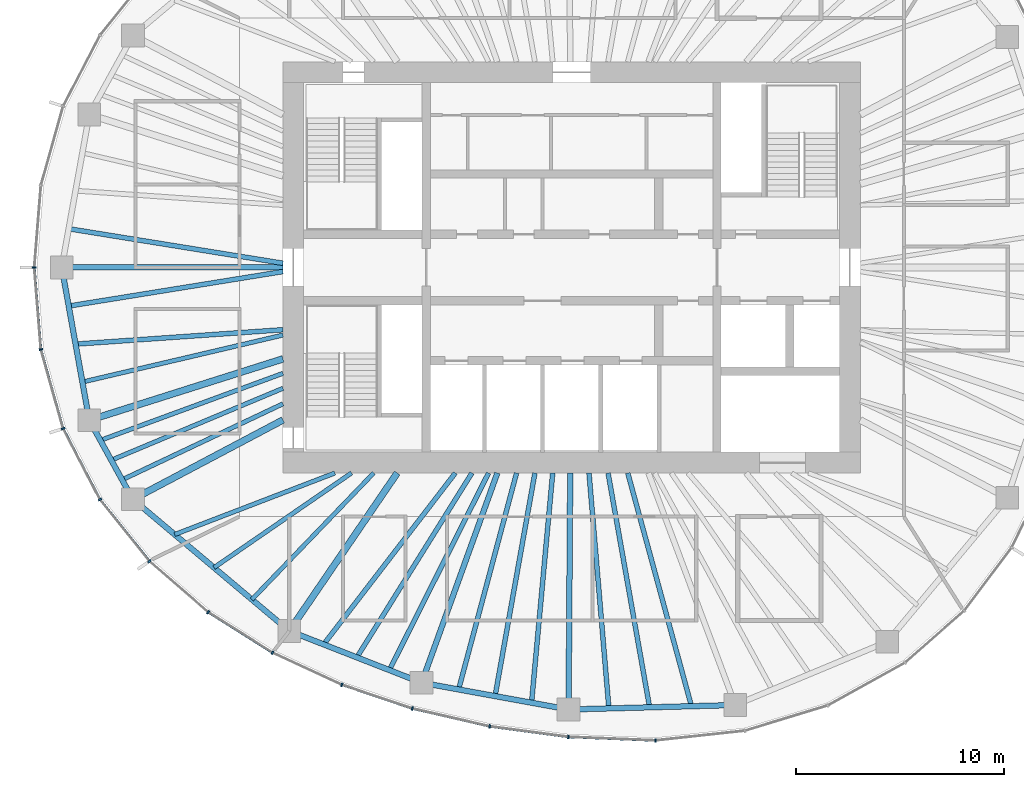
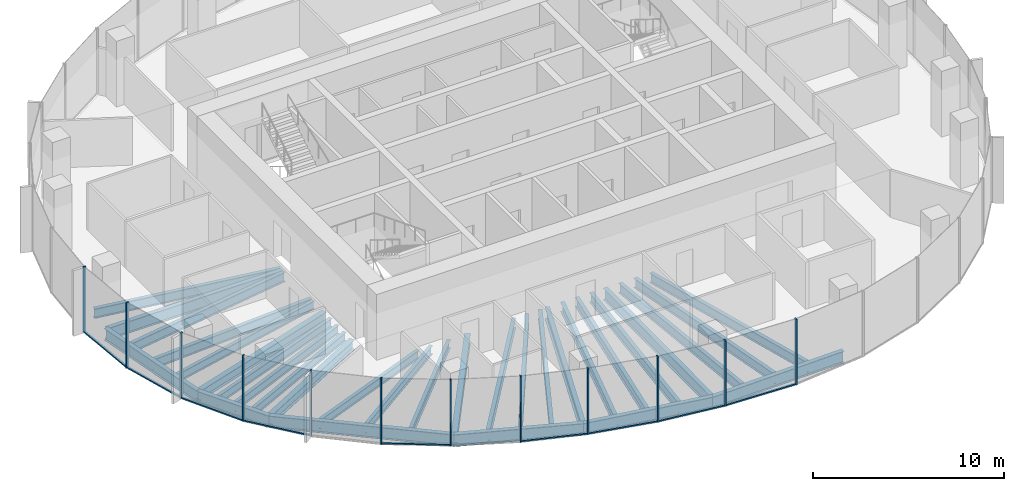
# One storey, part 2 of 12: 31 beams, 21 members, 6 elements without a shape of their own.
"""IFC4 building model written with IfcOpenShell, lengths in metres."""

import ifcopenshell
import ifcopenshell.guid

model = None  # the IFC model being written
_history = None  # IfcOwnerHistory: only IFC2X3 demands one
_inside = {}  # id of a spatial element -> (the spatial element, [elements in it])
_under = {}  # id of a project, library or spatial element -> (it, [spatial elements below it])
_declared = {}  # id of a project -> (the project, [libraries it declares])
_typed = {}  # id of a type object -> (the type object, [elements of that type])
_made_of = {}  # id of a material, layer set ... -> (it, [elements and type objects made of it])


def new_model(schema):
    """Start an empty IFC model of exactly this schema.

    Asked for "IFC4X3", IfcOpenShell would pick the latest addendum, in which some entities
    have other attributes; the version numbers below select the first issue.
    IFC2X3 requires an IfcOwnerHistory on every rooted entity: one is made here for all.
    """
    global model, _history
    if schema == "IFC4X3":
        model = ifcopenshell.file(schema_version=(4, 3, 0, 0))
    else:
        model = ifcopenshell.file(schema=schema)
    _inside.clear()
    _under.clear()
    _declared.clear()
    _typed.clear()
    _made_of.clear()
    _history = None
    if model.schema == "IFC2X3":
        org = make("IfcOrganization", Name="unknown")
        user = make(
            "IfcPersonAndOrganization",
            ThePerson=make("IfcPerson", FamilyName="unknown"),
            TheOrganization=org,
        )
        app = make(
            "IfcApplication",
            ApplicationDeveloper=org,
            Version="unknown",
            ApplicationFullName="unknown",
            ApplicationIdentifier="unknown",
        )
        _history = make(
            "IfcOwnerHistory",
            OwningUser=user,
            OwningApplication=app,
            ChangeAction="ADDED",
            CreationDate=0,
        )
    return model


def make(cls, **values):
    """One entity of the class cls with the attributes given. An attribute that is None is left unset."""
    return model.create_entity(
        cls, **{name: value for name, value in values.items() if value is not None}
    )


def rooted(cls, **values):
    """An entity with a GlobalId (a new one), such as an element, a storey or a relation."""
    return make(cls, GlobalId=ifcopenshell.guid.new(), OwnerHistory=_history, **values)


def si_unit(unit_type, name, prefix=None):
    """IfcSIUnit, for example si_unit("LENGTHUNIT", "METRE", prefix="MILLI")."""
    return make("IfcSIUnit", UnitType=unit_type, Prefix=prefix, Name=name)


def assignment(units):
    """IfcUnitAssignment: the units of a project."""
    return None if units is None else make("IfcUnitAssignment", Units=units)


def point(xyz):
    """IfcCartesianPoint."""
    return None if xyz is None else make("IfcCartesianPoint", Coordinates=xyz)


def direction(xyz):
    """IfcDirection."""
    return None if xyz is None else make("IfcDirection", DirectionRatios=xyz)


def frame(location, z_axis=None, x_axis=None):
    """IfcAxis2Placement3D, a coordinate frame: its origin and axes. An axis left out is left unset."""
    return make(
        "IfcAxis2Placement3D",
        Location=point(location),
        Axis=direction(z_axis),
        RefDirection=direction(x_axis),
    )


def frame_2d(location, x_axis=None):
    """IfcAxis2Placement2D, a coordinate frame in the plane: its origin and x axis."""
    return make(
        "IfcAxis2Placement2D", Location=point(location), RefDirection=direction(x_axis)
    )


def origin():
    """The frame at (0, 0, 0) with its axes left unset."""
    return frame((0.0, 0.0, 0.0))


def origin_2d():
    """The frame at (0, 0) in the plane with its x axis left unset."""
    return frame_2d((0.0, 0.0))


def place(relative_to, where):
    """IfcLocalPlacement: puts the frame where relative to a parent placement (None: the world)."""
    return make(
        "IfcLocalPlacement", PlacementRelTo=relative_to, RelativePlacement=where
    )


def context(
    kind, dimensions, precision=None, world=None, true_north=None, identifier=None
):
    """IfcGeometricRepresentationContext, for example the 3D "Model" context."""
    return make(
        "IfcGeometricRepresentationContext",
        ContextIdentifier=identifier,
        ContextType=kind,
        CoordinateSpaceDimension=dimensions,
        Precision=precision,
        WorldCoordinateSystem=world,
        TrueNorth=true_north,
    )


def subcontext(parent, identifier, kind, view, scale=None):
    """IfcGeometricRepresentationSubContext, for example "Body" below "Model"."""
    return make(
        "IfcGeometricRepresentationSubContext",
        ContextIdentifier=identifier,
        ContextType=kind,
        ParentContext=parent,
        TargetScale=scale,
        TargetView=view,
    )


def project(units=None, contexts=None):
    """IfcProject with its units and contexts."""
    return rooted(
        "IfcProject",
        Name="project",
        RepresentationContexts=contexts,
        UnitsInContext=assignment(units),
    )


def spatial(cls, under=None, at=None, **own):
    """A site, building, storey or space (cls), placed at a placement, below another one or the project."""
    s = rooted(cls, ObjectPlacement=at, **own)
    if under is not None:
        _under.setdefault(under.id(), (under, []))[1].append(s)
    return s


def profile(cls, at=None, kind="AREA", **sizes):
    """A parametric profile (cls). Its sizes go by their IFC names, for example OverallWidth=200.0."""
    return make(cls, ProfileType=kind, Position=at, **sizes)


def rectangle(**sizes):
    """IfcRectangleProfileDef."""
    return profile("IfcRectangleProfileDef", **sizes)


def i_section(**sizes):
    """IfcIShapeProfileDef."""
    return profile("IfcIShapeProfileDef", **sizes)


def extrude(swept, where, along, depth):
    """IfcExtrudedAreaSolid: the profile swept, set in the frame where, extruded along a direction by depth."""
    return make(
        "IfcExtrudedAreaSolid",
        SweptArea=swept,
        Position=where,
        ExtrudedDirection=direction(along),
        Depth=depth,
    )


def shape(context_of_items, identifier, shape_type, items):
    """IfcShapeRepresentation: the items that make up one representation, for example the "Body"."""
    return make(
        "IfcShapeRepresentation",
        ContextOfItems=context_of_items,
        RepresentationIdentifier=identifier,
        RepresentationType=shape_type,
        Items=items,
    )


def material(Name=None, Category=None):
    """IfcMaterial."""
    return make("IfcMaterial", Name=Name, Category=Category)


def material_profile(
    of_material, cross_section, Name=None, Category=None, Priority=None
):
    """IfcMaterialProfile: a cross section and its material."""
    return make(
        "IfcMaterialProfile",
        Name=Name,
        Material=of_material,
        Profile=cross_section,
        Priority=Priority,
        Category=Category,
    )


def profile_set(profiles, Name=None, composite=None):
    """IfcMaterialProfileSet."""
    return make(
        "IfcMaterialProfileSet",
        Name=Name,
        MaterialProfiles=profiles,
        CompositeProfile=composite,
    )


def made_of(thing, what):
    """Note that an element or type object is made of a material, layer set ...; save() writes the relation."""
    if what is not None:
        _made_of.setdefault(what.id(), (what, []))[1].append(thing)
    return thing


def type_object(cls, material=None, **own):
    """A type object (cls), such as IfcWallType, which elements share."""
    return made_of(rooted(cls, **own), material)


def element(
    cls,
    number,
    at=None,
    inside=None,
    cuts=None,
    type_object=None,
    material=None,
    context=None,
    identifier="Body",
    shape_type=None,
    held_by="IfcProductDefinitionShape",
    body=None,
    shapes=None,
    **own,
):
    """One element of the class cls, such as IfcWall. Its Tag is "e" and its number.

    at: its placement. inside: the storey or other place that contains it. cuts: it is an
    opening in that element (IfcRelVoidsElement). A single representation is given by context,
    identifier, shape_type and body (its items); several are given by shapes. held_by: the class
    of the entity that holds the representations. save() writes the other relations.
    """
    e = rooted(cls, Tag="e%d" % number, ObjectPlacement=at, **own)
    if body is not None:
        shapes = [shape(context, identifier, shape_type, body)]
    if shapes is not None:
        e.Representation = make(held_by, Representations=shapes)
    if inside is not None:
        _inside.setdefault(inside.id(), (inside, []))[1].append(e)
    if cuts is not None:
        rooted(
            "IfcRelVoidsElement", RelatingBuildingElement=cuts, RelatedOpeningElement=e
        )
    if type_object is not None:
        _typed.setdefault(type_object.id(), (type_object, []))[1].append(e)
    return made_of(e, material)


def aggregate(whole, parts):
    """IfcRelAggregates: a whole, such as a stair, and the parts it consists of."""
    return rooted("IfcRelAggregates", RelatingObject=whole, RelatedObjects=parts)


def save(model, path):
    """Write the relations noted so far, then the file.

    IfcRelAggregates (storeys below a building ...), IfcRelContainedInSpatialStructure (elements
    in a storey), IfcRelDefinesByType, IfcRelAssociatesMaterial and IfcRelDeclares: one each for
    every whole, place, type object, material and project.
    """
    for whole, parts in _under.values():
        aggregate(whole, parts)
    for where, things in _inside.values():
        rooted(
            "IfcRelContainedInSpatialStructure",
            RelatedElements=things,
            RelatingStructure=where,
        )
    for kind, things in _typed.values():
        rooted("IfcRelDefinesByType", RelatedObjects=things, RelatingType=kind)
    for what, things in _made_of.values():
        rooted("IfcRelAssociatesMaterial", RelatedObjects=things, RelatingMaterial=what)
    for by, libraries in _declared.values():
        rooted("IfcRelDeclares", RelatingContext=by, RelatedDefinitions=libraries)
    model.write(path)


model = new_model("IFC4")

# Units and contexts
model_context = context("Model", 3, precision=1e-05, world=origin(), true_north=direction((0.0, 1.0)))
body_context = subcontext(model_context, "Body", "Model", "MODEL_VIEW")
ifc_project = project(units=[si_unit("LENGTHUNIT", "METRE"), si_unit("AREAUNIT", "SQUARE_METRE"), si_unit("VOLUMEUNIT", "CUBIC_METRE"), si_unit("PLANEANGLEUNIT", "RADIAN"), si_unit("MASSUNIT", "GRAM", prefix="KILO")], contexts=[model_context])

# Site, building, storey
site_placement = place(None, origin())
site = spatial("IfcSite", under=ifc_project, at=site_placement, CompositionType="ELEMENT")
building_placement = place(site_placement, origin())
building = spatial("IfcBuilding", under=site, at=building_placement, Name="Ghaith Harvest Tower", CompositionType="ELEMENT")
storey_placement = place(building_placement, frame((0.0, 0.0, 296.39990234375)))
storey = spatial("IfcBuildingStorey", under=building, at=storey_placement, Name="L66", CompositionType="ELEMENT", Elevation=296.39990234375)

# Curtain wall, members
ifc_material_1 = material(Name="Black anodised aluminium and fritted glass", Category="aluminium")
curtain_wall_type = type_object("IfcCurtainWallType", Name="CW-T CURTAIN WALL", PredefinedType="NOTDEFINED", material=ifc_material_1)
curtain_wall_1_placement = place(storey_placement, origin())
curtain_wall_1 = element("IfcCurtainWall", 1, at=curtain_wall_1_placement, inside=storey, type_object=curtain_wall_type, Name="Curtain wall CW-T bay 11 L66", PredefinedType="NOTDEFINED")
ifc_material_2 = material(Name="Aluminium, black anodised", Category="aluminium")
ifc_material_profile_1 = material_profile(ifc_material_2, rectangle(XDim=0.080078125, YDim=0.179931640625, at=origin_2d()), Name="CW-T MULLION 80x180")
ifc_profile_set_1 = profile_set([ifc_material_profile_1], Name="Aluminium, black anodised")
member_type_1 = type_object("IfcMemberType", Name="CW-T MULLION 80x180", PredefinedType="MULLION", material=ifc_profile_set_1)
member_1_placement = place(storey_placement, frame((-25.8701171875, 0.0, 0.0), z_axis=(0.0, 0.0, 1.0), x_axis=(-1.05e-10, -1.0, 0.0)))
member_1 = element("IfcMember", 2, at=member_1_placement, type_object=member_type_1, Name="CW-T mullion 1 bay 11 L66", PredefinedType="MULLION", context=body_context, shape_type="SweptSolid", body=[
    extrude(rectangle(XDim=0.080078125, YDim=0.179931640625, at=origin_2d()), origin(), (0.0, 0.0, 1.0), 4.2001953125),
])
member_2_placement = place(storey_placement, frame((-25.5517578125, -3.9521484375, 0.0), z_axis=(0.0, 0.0, 1.0), x_axis=(0.176001391003, -0.98438991785, 0.0)))
member_2 = element("IfcMember", 3, at=member_2_placement, type_object=member_type_1, Name="CW-T mullion 2 bay 11 L66", PredefinedType="MULLION", context=body_context, shape_type="SweptSolid", body=[
    extrude(rectangle(XDim=0.080078125, YDim=0.179931640625, at=origin_2d()), origin(), (0.0, 0.0, 1.0), 4.2001953125),
])

curtain_wall_2_placement = place(storey_placement, origin())
curtain_wall_2 = element("IfcCurtainWall", 4, at=curtain_wall_2_placement, inside=storey, type_object=curtain_wall_type, Name="Curtain wall CW-T bay 12 L66", PredefinedType="NOTDEFINED")
member_3_placement = place(storey_placement, frame((-24.482666015625, -7.759033203125, 0.0), z_axis=(0.0, 0.0, 1.0), x_axis=(0.366473104734, -0.930428645038, 0.0)))
member_3 = element("IfcMember", 5, at=member_3_placement, type_object=member_type_1, Name="CW-T mullion 1 bay 12 L66", PredefinedType="MULLION", context=body_context, shape_type="SweptSolid", body=[
    extrude(rectangle(XDim=0.080078125, YDim=0.179931640625, at=origin_2d()), origin(), (0.0, 0.0, 1.0), 4.2001953125),
])
member_4_placement = place(storey_placement, frame((-22.706298828125, -11.176513671875, 0.0), z_axis=(0.0, 0.0, 1.0), x_axis=(0.545865412431, -0.837872873121, 0.0)))
member_4 = element("IfcMember", 6, at=member_4_placement, type_object=member_type_1, Name="CW-T mullion 2 bay 12 L66", PredefinedType="MULLION", context=body_context, shape_type="SweptSolid", body=[
    extrude(rectangle(XDim=0.080078125, YDim=0.179931640625, at=origin_2d()), origin(), (0.0, 0.0, 1.0), 4.2001953125),
])

curtain_wall_3_placement = place(storey_placement, origin())
curtain_wall_3 = element("IfcCurtainWall", 7, at=curtain_wall_3_placement, inside=storey, type_object=curtain_wall_type, Name="Curtain wall CW-T bay 13 L66", PredefinedType="NOTDEFINED")
member_5_placement = place(storey_placement, frame((-20.324462890625, -14.141845703125, 0.0), z_axis=(0.0, 0.0, 1.0), x_axis=(0.692826491831, -0.721104328248, 0.0)))
member_5 = element("IfcMember", 8, at=member_5_placement, type_object=member_type_1, Name="CW-T mullion 1 bay 13 L66", PredefinedType="MULLION", context=body_context, shape_type="SweptSolid", body=[
    extrude(rectangle(XDim=0.080078125, YDim=0.179931640625, at=origin_2d()), origin(), (0.0, 0.0, 1.0), 4.2001953125),
])
member_6_placement = place(storey_placement, frame((-17.49462890625, -16.600830078125, 0.0), z_axis=(0.0, 0.0, 1.0), x_axis=(0.802189888845, -0.59706899286, 0.0)))
member_6 = element("IfcMember", 9, at=member_6_placement, type_object=member_type_1, Name="CW-T mullion 2 bay 13 L66", PredefinedType="MULLION", context=body_context, shape_type="SweptSolid", body=[
    extrude(rectangle(XDim=0.080078125, YDim=0.179931640625, at=origin_2d()), origin(), (0.0, 0.0, 1.0), 4.2001953125),
])

curtain_wall_4_placement = place(storey_placement, origin())
curtain_wall_4 = element("IfcCurtainWall", 10, at=curtain_wall_4_placement, inside=storey, type_object=curtain_wall_type, Name="Curtain wall CW-T bay 14 L66", PredefinedType="NOTDEFINED")
member_7_placement = place(storey_placement, frame((-14.40478515625, -18.5478515625, 0.0), z_axis=(0.0, 0.0, 1.0), x_axis=(0.878671732732, -0.477426419564, 0.0)))
member_7 = element("IfcMember", 11, at=member_7_placement, type_object=member_type_1, Name="CW-T mullion 1 bay 14 L66", PredefinedType="MULLION", context=body_context, shape_type="SweptSolid", body=[
    extrude(rectangle(XDim=0.080078125, YDim=0.179931640625, at=origin_2d()), origin(), (0.0, 0.0, 1.0), 4.2001953125),
])
member_8_placement = place(storey_placement, frame((-11.0673828125, -20.093017578125, 0.0), z_axis=(0.0, 0.0, 1.0), x_axis=(0.92862442092, -0.371021138038, 0.0)))
member_8 = element("IfcMember", 12, at=member_8_placement, type_object=member_type_1, Name="CW-T mullion 2 bay 14 L66", PredefinedType="MULLION", context=body_context, shape_type="SweptSolid", body=[
    extrude(rectangle(XDim=0.080078125, YDim=0.179931640625, at=origin_2d()), origin(), (0.0, 0.0, 1.0), 4.2001953125),
])

curtain_wall_5_placement = place(storey_placement, origin())
curtain_wall_5 = element("IfcCurtainWall", 13, at=curtain_wall_5_placement, inside=storey, type_object=curtain_wall_type, Name="Curtain wall CW-T bay 15 L66", PredefinedType="NOTDEFINED")
member_9_placement = place(storey_placement, frame((-7.6708984375, -21.23828125, 0.0), z_axis=(0.0, 0.0, 1.0), x_axis=(0.962552491659, -0.271095372151, 0.0)))
member_9 = element("IfcMember", 14, at=member_9_placement, type_object=member_type_1, Name="CW-T mullion 1 bay 15 L66", PredefinedType="MULLION", context=body_context, shape_type="SweptSolid", body=[
    extrude(rectangle(XDim=0.080078125, YDim=0.179931640625, at=origin_2d()), origin(), (0.0, 0.0, 1.0), 4.2001953125),
])
member_10_placement = place(storey_placement, frame((-3.946533203125, -22.0986328125, 0.0), z_axis=(0.0, 0.0, 1.0), x_axis=(0.983843447712, -0.179030920217, 0.0)))
member_10 = element("IfcMember", 15, at=member_10_placement, type_object=member_type_1, Name="CW-T mullion 2 bay 15 L66", PredefinedType="MULLION", context=body_context, shape_type="SweptSolid", body=[
    extrude(rectangle(XDim=0.080078125, YDim=0.179931640625, at=origin_2d()), origin(), (0.0, 0.0, 1.0), 4.2001953125),
])

curtain_wall_6_placement = place(storey_placement, origin())
curtain_wall_6 = element("IfcCurtainWall", 16, at=curtain_wall_6_placement, inside=storey, type_object=curtain_wall_type, Name="Curtain wall CW-T bay 16 L66", PredefinedType="NOTDEFINED")
member_11_placement = place(storey_placement, frame((-0.15478515625, -22.60595703125, 0.0), z_axis=(0.0, 0.0, 1.0), x_axis=(0.996414855524, -0.084601629366, 0.0)))
member_11 = element("IfcMember", 17, at=member_11_placement, type_object=member_type_1, Name="CW-T mullion 1 bay 16 L66", PredefinedType="MULLION", context=body_context, shape_type="SweptSolid", body=[
    extrude(rectangle(XDim=0.080078125, YDim=0.179931640625, at=origin_2d()), origin(), (0.0, 0.0, 1.0), 4.2001953125),
])
member_12_placement = place(storey_placement, frame((4.037841796875, -22.776611328125, 0.0), z_axis=(0.0, 0.0, 1.0), x_axis=(0.999388631241, 0.034962318939, 0.0)))
member_12 = element("IfcMember", 18, at=member_12_placement, type_object=member_type_1, Name="CW-T mullion 2 bay 16 L66", PredefinedType="MULLION", context=body_context, shape_type="SweptSolid", body=[
    extrude(rectangle(XDim=0.080078125, YDim=0.179931640625, at=origin_2d()), origin(), (0.0, 0.0, 1.0), 4.2001953125),
])

# Member
ifc_material_3 = material(Name="Aluminium, black anodised", Category="aluminium")
ifc_material_profile_2 = material_profile(ifc_material_3, rectangle(XDim=0.1201171875, YDim=0.080078125, at=origin_2d()), Name="CW-T TRANSOM 120x80")
ifc_profile_set_2 = profile_set([ifc_material_profile_2], Name="Aluminium, black anodised")
member_type_2 = type_object("IfcMemberType", Name="CW-T TRANSOM 120x80", PredefinedType="USERDEFINED", material=ifc_profile_set_2)
member_13_placement = place(storey_placement, frame((-25.86669921875, -0.039794921875, 0.0400390625), z_axis=(0.08025226314, -0.996774585481, 0.0), x_axis=(0.996774585481, 0.08025226314, 0.0)))
member_13 = element("IfcMember", 19, at=member_13_placement, type_object=member_type_2, Name="CW-T transom 1 bay 11 L66", ObjectType="TRANSOM", PredefinedType="USERDEFINED", context=body_context, shape_type="SweptSolid", body=[
    extrude(rectangle(XDim=0.1201171875, YDim=0.080078125, at=origin_2d()), origin(), (0.0, 0.0, 1.0), 3.884765625),
])

member_14_placement = place(storey_placement, frame((-25.541015625, -3.990478515625, 0.0400390625), z_axis=(0.270340422972, -0.962764797709, 0.0), x_axis=(0.962764797709, 0.270340422972, 0.0)))
member_14 = element("IfcMember", 20, at=member_14_placement, type_object=member_type_2, Name="CW-T transom 2 bay 11 L66", ObjectType="TRANSOM", PredefinedType="USERDEFINED", context=body_context, shape_type="SweptSolid", body=[
    extrude(rectangle(XDim=0.1201171875, YDim=0.080078125, at=origin_2d()), origin(), (0.0, 0.0, 1.0), 3.874267578125),
])

aggregate(curtain_wall_1, [member_1, member_13, member_2, member_14])

member_15_placement = place(storey_placement, frame((-24.46435546875, -7.79443359375, 0.0400390625), z_axis=(0.461242681347, -0.887274021317, 0.0), x_axis=(0.887274021317, 0.461242681347, 0.0)))
member_15 = element("IfcMember", 21, at=member_15_placement, type_object=member_type_2, Name="CW-T transom 1 bay 12 L66", ObjectType="TRANSOM", PredefinedType="USERDEFINED", context=body_context, shape_type="SweptSolid", body=[
    extrude(rectangle(XDim=0.1201171875, YDim=0.080078125, at=origin_2d()), origin(), (0.0, 0.0, 1.0), 3.77197265625),
])

member_16_placement = place(storey_placement, frame((-22.68115234375, -11.207763671875, 0.0400390625), z_axis=(0.626253073761, -0.779619835307, 0.0), x_axis=(0.779619835307, 0.626253073761, 0.0)))
member_16 = element("IfcMember", 22, at=member_16_placement, type_object=member_type_2, Name="CW-T transom 2 bay 12 L66", ObjectType="TRANSOM", PredefinedType="USERDEFINED", context=body_context, shape_type="SweptSolid", body=[
    extrude(rectangle(XDim=0.1201171875, YDim=0.080078125, at=origin_2d()), origin(), (0.0, 0.0, 1.0), 3.723388671875),
])

aggregate(curtain_wall_2, [member_3, member_15, member_4, member_16])

member_17_placement = place(storey_placement, frame((-17.4609375, -16.6220703125, 0.0400390625), z_axis=(0.846053602505, -0.533097835006, 0.0), x_axis=(0.533097835006, 0.846053602505, 0.0)))
member_17 = element("IfcMember", 23, at=member_17_placement, type_object=member_type_2, Name="CW-T transom 2 bay 13 L66", ObjectType="TRANSOM", PredefinedType="USERDEFINED", context=body_context, shape_type="SweptSolid", body=[
    extrude(rectangle(XDim=0.1201171875, YDim=0.080078125, at=origin_2d()), origin(), (0.0, 0.0, 1.0), 3.572021484375),
])

aggregate(curtain_wall_3, [member_5, member_6, member_17])

member_18_placement = place(storey_placement, frame((-11.029541015625, -20.105712890625, 0.0400390625), z_axis=(0.9475698206, -0.319548799228, 0.0), x_axis=(0.319548799228, 0.9475698206, 0.0)))
member_18 = element("IfcMember", 24, at=member_18_placement, type_object=member_type_2, Name="CW-T transom 2 bay 14 L66", ObjectType="TRANSOM", PredefinedType="USERDEFINED", context=body_context, shape_type="SweptSolid", body=[
    extrude(rectangle(XDim=0.1201171875, YDim=0.080078125, at=origin_2d()), origin(), (0.0, 0.0, 1.0), 3.504638671875),
])

aggregate(curtain_wall_4, [member_7, member_8, member_18])

member_19_placement = place(storey_placement, frame((-7.6318359375, -21.247314453125, 0.0400390625), z_axis=(0.974344997799, -0.225059603803, 0.0), x_axis=(0.225059603803, 0.974344997799, 0.0)))
member_19 = element("IfcMember", 25, at=member_19_placement, type_object=member_type_2, Name="CW-T transom 1 bay 15 L66", ObjectType="TRANSOM", PredefinedType="USERDEFINED", context=body_context, shape_type="SweptSolid", body=[
    extrude(rectangle(XDim=0.1201171875, YDim=0.080078125, at=origin_2d()), origin(), (0.0, 0.0, 1.0), 3.742431640625),
])

member_20_placement = place(storey_placement, frame((-3.90673828125, -22.10400390625, 0.0400390625), z_axis=(0.99117202259, -0.132582131655, 0.0), x_axis=(0.132582131655, 0.99117202259, 0.0)))
member_20 = element("IfcMember", 26, at=member_20_placement, type_object=member_type_2, Name="CW-T transom 2 bay 15 L66", ObjectType="TRANSOM", PredefinedType="USERDEFINED", context=body_context, shape_type="SweptSolid", body=[
    extrude(rectangle(XDim=0.1201171875, YDim=0.080078125, at=origin_2d()), origin(), (0.0, 0.0, 1.0), 3.745361328125),
])

aggregate(curtain_wall_5, [member_9, member_19, member_10, member_20])

member_21_placement = place(storey_placement, frame((-0.11474609375, -22.607666015625, 0.0400390625), z_axis=(0.999174207562, -0.040631304968, 0.0), x_axis=(0.040631304968, 0.999174207562, 0.0)))
member_21 = element("IfcMember", 27, at=member_21_placement, type_object=member_type_2, Name="CW-T transom 1 bay 16 L66", ObjectType="TRANSOM", PredefinedType="USERDEFINED", context=body_context, shape_type="SweptSolid", body=[
    extrude(rectangle(XDim=0.1201171875, YDim=0.080078125, at=origin_2d()), origin(), (0.0, 0.0, 1.0), 4.115966796875),
])

aggregate(curtain_wall_6, [member_11, member_21, member_12])

# Beams
ifc_material_4 = material(Name="Steel ASTM A992 Grade 50", Category="steel")
ifc_material_profile_3 = material_profile(ifc_material_4, i_section(OverallWidth=0.26611328125, OverallDepth=0.758056640625, WebThickness=0.013916015625, FlangeThickness=0.019287109375, at=origin_2d()), Name="W760X161")
ifc_profile_set_3 = profile_set([ifc_material_profile_3], Name="Steel ASTM A992 Grade 50")
beam_type_1 = type_object("IfcBeamType", Name="E760-161 W760X161", PredefinedType="SPANDREL", material=ifc_profile_set_3)
beam_1_placement = place(storey_placement, frame((-24.550048828125, 0.0, -0.548828125), z_axis=(0.177296554745, -0.984157473007, 0.0), x_axis=(0.984157473007, 0.177296554745, 0.0)))
element("IfcBeam", 28, at=beam_1_placement, inside=storey, type_object=beam_type_1, Name="Edge beam E11 L66", PredefinedType="SPANDREL", context=body_context, shape_type="SweptSolid", body=[
    extrude(i_section(OverallWidth=0.26611328125, OverallDepth=0.758056640625, WebThickness=0.013916015625, FlangeThickness=0.019287109375, at=origin_2d()), origin(), (0.0, 0.0, 1.0), 7.478515625),
])
beam_2_placement = place(storey_placement, frame((-23.22412109375, -7.360107421875, -0.548828125), z_axis=(0.482955575345, -0.875644855089, 0.0), x_axis=(0.875644855089, 0.482955575345, 0.0)))
element("IfcBeam", 29, at=beam_2_placement, inside=storey, type_object=beam_type_1, Name="Edge beam E12 L66", PredefinedType="SPANDREL", context=body_context, shape_type="SweptSolid", body=[
    extrude(i_section(OverallWidth=0.26611328125, OverallDepth=0.758056640625, WebThickness=0.013916015625, FlangeThickness=0.019287109375, at=origin_2d()), origin(), (0.0, 0.0, 1.0), 4.346435546875),
])
beam_3_placement = place(storey_placement, frame((-21.125, -11.166015625, -0.548828125), z_axis=(0.765021818761, -0.64400436087, 0.0), x_axis=(0.64400436087, 0.765021818761, 0.0)))
element("IfcBeam", 30, at=beam_3_placement, inside=storey, type_object=beam_type_1, Name="Edge beam E13 L66", PredefinedType="SPANDREL", context=body_context, shape_type="SweptSolid", body=[
    extrude(i_section(OverallWidth=0.26611328125, OverallDepth=0.758056640625, WebThickness=0.013916015625, FlangeThickness=0.019287109375, at=origin_2d()), origin(), (0.0, 0.0, 1.0), 9.8427734375),
])
beam_4_placement = place(storey_placement, frame((-13.594970703125, -17.5048828125, -0.548828125), z_axis=(0.931322768207, -0.364194867371, 0.0), x_axis=(0.364194867371, 0.931322768207, 0.0)))
element("IfcBeam", 31, at=beam_4_placement, inside=storey, type_object=beam_type_1, Name="Edge beam E14 L66", PredefinedType="SPANDREL", context=body_context, shape_type="SweptSolid", body=[
    extrude(i_section(OverallWidth=0.26611328125, OverallDepth=0.758056640625, WebThickness=0.013916015625, FlangeThickness=0.019287109375, at=origin_2d()), origin(), (0.0, 0.0, 1.0), 6.843017578125),
])
beam_5_placement = place(storey_placement, frame((-7.221923828125, -19.9970703125, -0.548828125), z_axis=(0.983813921429, -0.179193102551, 0.0), x_axis=(0.179193102551, 0.983813921429, 0.0)))
element("IfcBeam", 32, at=beam_5_placement, inside=storey, type_object=beam_type_1, Name="Edge beam E15 L66", PredefinedType="SPANDREL", context=body_context, shape_type="SweptSolid", body=[
    extrude(i_section(OverallWidth=0.26611328125, OverallDepth=0.758056640625, WebThickness=0.013916015625, FlangeThickness=0.019287109375, at=origin_2d()), origin(), (0.0, 0.0, 1.0), 7.1923828125),
])
beam_6_placement = place(storey_placement, frame((-0.14599609375, -21.285888671875, -0.548828125), z_axis=(0.999644979696, 0.02664422206, 0.0), x_axis=(-0.02664422206, 0.999644979696, 0.0)))
element("IfcBeam", 33, at=beam_6_placement, inside=storey, type_object=beam_type_1, Name="Edge beam E16 L66", PredefinedType="SPANDREL", context=body_context, shape_type="SweptSolid", body=[
    extrude(i_section(OverallWidth=0.26611328125, OverallDepth=0.758056640625, WebThickness=0.013916015625, FlangeThickness=0.019287109375, at=origin_2d()), origin(), (0.0, 0.0, 1.0), 8.02685546875),
])
ifc_material_5 = material(Name="Steel ASTM A992 Grade 50", Category="steel")
ifc_material_profile_4 = material_profile(ifc_material_5, i_section(OverallWidth=0.323974609375, OverallDepth=0.611083984375, WebThickness=0.0126953125, FlangeThickness=0.01904296875, at=origin_2d()), Name="W610X155")
ifc_profile_set_4 = profile_set([ifc_material_profile_4], Name="Steel ASTM A992 Grade 50")
beam_type_2 = type_object("IfcBeamType", Name="G610-155 W610X155", PredefinedType="BEAM", material=ifc_profile_set_4)
beam_7_placement = place(storey_placement, frame((-13.89990234375, -4.4052734375, -0.475341796875), z_axis=(-0.953278508772, -0.302092841215, 0.0), x_axis=(0.302092841215, -0.953278508772, 0.0)))
element("IfcBeam", 34, at=beam_7_placement, inside=storey, type_object=beam_type_2, Name="Radial girder G12 L66", PredefinedType="BEAM", context=body_context, shape_type="SweptSolid", body=[
    extrude(i_section(OverallWidth=0.323974609375, OverallDepth=0.611083984375, WebThickness=0.0126953125, FlangeThickness=0.01904296875, at=origin_2d()), origin(), (0.0, 0.0, 1.0), 9.78125),
])
beam_8_placement = place(storey_placement, frame((-13.89990234375, -7.34716796875, -0.475341796875), z_axis=(-0.88410164037, -0.467294649546, 0.0), x_axis=(0.467294649546, -0.88410164037, 0.0)))
element("IfcBeam", 35, at=beam_8_placement, inside=storey, type_object=beam_type_2, Name="Radial girder G13 L66", PredefinedType="BEAM", context=body_context, shape_type="SweptSolid", body=[
    extrude(i_section(OverallWidth=0.323974609375, OverallDepth=0.611083984375, WebThickness=0.0126953125, FlangeThickness=0.01904296875, at=origin_2d()), origin(), (0.0, 0.0, 1.0), 8.17236328125),
])
beam_9_placement = place(storey_placement, frame((-8.39990234375, -9.89990234375, -0.475341796875), z_axis=(-0.564067018201, -0.825729010619, 0.0), x_axis=(0.825729010619, -0.564067018201, 0.0)))
element("IfcBeam", 36, at=beam_9_placement, inside=storey, type_object=beam_type_2, Name="Radial girder G14 L66", PredefinedType="BEAM", context=body_context, shape_type="SweptSolid", body=[
    extrude(i_section(OverallWidth=0.323974609375, OverallDepth=0.611083984375, WebThickness=0.0126953125, FlangeThickness=0.01904296875, at=origin_2d()), origin(), (0.0, 0.0, 1.0), 9.2099609375),
])
ifc_material_6 = material(Name="Steel ASTM A992 Grade 50", Category="steel")
ifc_material_profile_5 = material_profile(ifc_material_6, i_section(OverallWidth=0.26611328125, OverallDepth=0.758056640625, WebThickness=0.013916015625, FlangeThickness=0.019287109375, at=origin_2d()), Name="W760X161")
ifc_profile_set_5 = profile_set([ifc_material_profile_5], Name="Steel ASTM A992 Grade 50")
beam_type_3 = type_object("IfcBeamType", Name="G760-161 W760X161", PredefinedType="BEAM", material=ifc_profile_set_5)
beam_10_placement = place(storey_placement, frame((-13.89990234375, 0.0, -0.548828125), z_axis=(-1.0, 0.0, 0.0), x_axis=(0.0, -1.0, 0.0)))
element("IfcBeam", 37, at=beam_10_placement, inside=storey, type_object=beam_type_3, Name="Radial girder G11 L66", PredefinedType="BEAM", context=body_context, shape_type="SweptSolid", body=[
    extrude(i_section(OverallWidth=0.26611328125, OverallDepth=0.758056640625, WebThickness=0.013916015625, FlangeThickness=0.019287109375, at=origin_2d()), origin(), (0.0, 0.0, 1.0), 10.650146484375),
])
beam_11_placement = place(storey_placement, frame((-3.57568359375, -9.89990234375, -0.548828125), z_axis=(-0.339647816823, -0.940552688863, 0.0), x_axis=(0.940552688863, -0.339647816823, 0.0)))
element("IfcBeam", 38, at=beam_11_placement, inside=storey, type_object=beam_type_3, Name="Radial girder G15 L66", PredefinedType="BEAM", context=body_context, shape_type="SweptSolid", body=[
    extrude(i_section(OverallWidth=0.26611328125, OverallDepth=0.758056640625, WebThickness=0.013916015625, FlangeThickness=0.019287109375, at=origin_2d()), origin(), (0.0, 0.0, 1.0), 10.7353515625),
])
beam_12_placement = place(storey_placement, frame((-0.06787109375, -9.89990234375, -0.548828125), z_axis=(-0.006861343299, -0.999976460707, 0.0), x_axis=(0.999976460707, -0.006861343299, 0.0)))
element("IfcBeam", 39, at=beam_12_placement, inside=storey, type_object=beam_type_3, Name="Radial girder G16 L66", PredefinedType="BEAM", context=body_context, shape_type="SweptSolid", body=[
    extrude(i_section(OverallWidth=0.26611328125, OverallDepth=0.758056640625, WebThickness=0.013916015625, FlangeThickness=0.019287109375, at=origin_2d()), origin(), (0.0, 0.0, 1.0), 11.38623046875),
])
ifc_material_7 = material(Name="Steel ASTM A992 Grade 50", Category="steel")
ifc_material_profile_6 = material_profile(ifc_material_7, i_section(OverallWidth=0.2109375, OverallDepth=0.5390625, WebThickness=0.01171875, FlangeThickness=0.018798828125, at=origin_2d()), Name="W530X109")
ifc_profile_set_6 = profile_set([ifc_material_profile_6], Name="Steel ASTM A992 Grade 50")
beam_type_4 = type_object("IfcBeamType", Name="J530-109 W530X109", PredefinedType="JOIST", material=ifc_profile_set_6)
beam_13_placement = place(storey_placement, frame((-13.89990234375, -3.257080078125, -0.439453125), z_axis=(-0.973623403271, -0.228161058472, 0.0), x_axis=(0.228161058472, -0.973623403271, 0.0)))
element("IfcBeam", 40, at=beam_13_placement, inside=storey, type_object=beam_type_4, Name="Joist J11.3 L66", PredefinedType="JOIST", context=body_context, shape_type="SweptSolid", body=[
    extrude(i_section(OverallWidth=0.2109375, OverallDepth=0.5390625, WebThickness=0.01171875, FlangeThickness=0.018798828125, at=origin_2d()), origin(), (0.0, 0.0, 1.0), 9.9169921875),
])
beam_14_placement = place(storey_placement, frame((-13.89990234375, -5.101318359375, -0.439453125), z_axis=(-0.938776837502, -0.34452583266, 0.0), x_axis=(0.34452583266, -0.938776837502, 0.0)))
element("IfcBeam", 41, at=beam_14_placement, inside=storey, type_object=beam_type_4, Name="Joist J12.1 L66", PredefinedType="JOIST", context=body_context, shape_type="SweptSolid", body=[
    extrude(i_section(OverallWidth=0.2109375, OverallDepth=0.5390625, WebThickness=0.01171875, FlangeThickness=0.018798828125, at=origin_2d()), origin(), (0.0, 0.0, 1.0), 9.36376953125),
])
beam_15_placement = place(storey_placement, frame((-13.89990234375, -5.82080078125, -0.439453125), z_axis=(-0.922394258818, -0.38624970071, 0.0), x_axis=(0.38624970071, -0.922394258818, 0.0)))
element("IfcBeam", 42, at=beam_15_placement, inside=storey, type_object=beam_type_4, Name="Joist J12.2 L66", PredefinedType="JOIST", context=body_context, shape_type="SweptSolid", body=[
    extrude(i_section(OverallWidth=0.2109375, OverallDepth=0.5390625, WebThickness=0.01171875, FlangeThickness=0.018798828125, at=origin_2d()), origin(), (0.0, 0.0, 1.0), 8.959716796875),
])
beam_16_placement = place(storey_placement, frame((-13.89990234375, -6.56787109375, -0.439453125), z_axis=(-0.904165769726, -0.427181765594, 0.0), x_axis=(0.427181765594, -0.904165769726, 0.0)))
element("IfcBeam", 43, at=beam_16_placement, inside=storey, type_object=beam_type_4, Name="Joist J12.3 L66", PredefinedType="JOIST", context=body_context, shape_type="SweptSolid", body=[
    extrude(i_section(OverallWidth=0.2109375, OverallDepth=0.5390625, WebThickness=0.01171875, FlangeThickness=0.018798828125, at=origin_2d()), origin(), (0.0, 0.0, 1.0), 8.564208984375),
])
beam_17_placement = place(storey_placement, frame((-11.39990234375, -9.89990234375, -0.439453125), z_axis=(-0.933583045329, -0.358361127181, 0.0), x_axis=(0.358361127181, -0.933583045329, 0.0)))
element("IfcBeam", 44, at=beam_17_placement, inside=storey, type_object=beam_type_4, Name="Joist J13.1 L66", PredefinedType="JOIST", context=body_context, shape_type="SweptSolid", body=[
    extrude(i_section(OverallWidth=0.2109375, OverallDepth=0.5390625, WebThickness=0.01171875, FlangeThickness=0.018798828125, at=origin_2d()), origin(), (0.0, 0.0, 1.0), 8.260986328125),
])
beam_18_placement = place(storey_placement, frame((-10.60009765625, -9.89990234375, -0.439453125), z_axis=(-0.823778502511, -0.566911791023, 0.0), x_axis=(0.566911791023, -0.823778502511, 0.0)))
element("IfcBeam", 45, at=beam_18_placement, inside=storey, type_object=beam_type_4, Name="Joist J13.2 L66", PredefinedType="JOIST", context=body_context, shape_type="SweptSolid", body=[
    extrude(i_section(OverallWidth=0.2109375, OverallDepth=0.5390625, WebThickness=0.01171875, FlangeThickness=0.018798828125, at=origin_2d()), origin(), (0.0, 0.0, 1.0), 8.0341796875),
])
beam_19_placement = place(storey_placement, frame((-9.530517578125, -9.89990234375, -0.439453125), z_axis=(-0.693536238632, -0.720421741554, 0.0), x_axis=(0.720421741554, -0.693536238632, 0.0)))
element("IfcBeam", 46, at=beam_19_placement, inside=storey, type_object=beam_type_4, Name="Joist J13.3 L66", PredefinedType="JOIST", context=body_context, shape_type="SweptSolid", body=[
    extrude(i_section(OverallWidth=0.2109375, OverallDepth=0.5390625, WebThickness=0.01171875, FlangeThickness=0.018798828125, at=origin_2d()), origin(), (0.0, 0.0, 1.0), 8.4541015625),
])
ifc_material_8 = material(Name="Steel ASTM A992 Grade 50", Category="steel")
ifc_material_profile_7 = material_profile(ifc_material_8, i_section(OverallWidth=0.22998046875, OverallDepth=0.616943359375, WebThickness=0.01318359375, FlangeThickness=0.022216796875, at=origin_2d()), Name="W610X140")
ifc_profile_set_7 = profile_set([ifc_material_profile_7], Name="Steel ASTM A992 Grade 50")
beam_type_5 = type_object("IfcBeamType", Name="J610-140 W610X140", PredefinedType="JOIST", material=ifc_profile_set_7)
for number, where, z_axis, x_axis, name in (
    (47, (-13.89990234375, 0.199951171875, -0.478515625), (-0.987271793524, 0.159042150743, 0.0), (-0.159042150743, -0.987271793524, 0.0), "Joist J10.3 L66"),
    (48, (-13.89990234375, -0.199951171875, -0.478515625), (-0.987271793524, -0.159042150743, 0.0), (0.159042150743, -0.987271793524, 0.0), "Joist J11.1 L66"),
):
    element("IfcBeam", number, at=place(storey_placement, frame(where, z_axis=z_axis, x_axis=x_axis)), inside=storey, type_object=beam_type_5, Name=name, PredefinedType="JOIST", context=body_context, shape_type="SweptSolid", body=[
        extrude(i_section(OverallWidth=0.22998046875, OverallDepth=0.616943359375, WebThickness=0.01318359375, FlangeThickness=0.022216796875, at=origin_2d()), origin(), (0.0, 0.0, 1.0), 10.44775390625),
    ])
beam_20_placement = place(storey_placement, frame((-13.89990234375, -3.0, -0.478515625), z_axis=(-0.997592478057, -0.069348739886, 0.0), x_axis=(0.069348739886, -0.997592478057, 0.0)))
element("IfcBeam", 49, at=beam_20_placement, inside=storey, type_object=beam_type_5, Name="Joist J11.2 L66", PredefinedType="JOIST", context=body_context, shape_type="SweptSolid", body=[
    extrude(i_section(OverallWidth=0.22998046875, OverallDepth=0.616943359375, WebThickness=0.01318359375, FlangeThickness=0.022216796875, at=origin_2d()), origin(), (0.0, 0.0, 1.0), 10.0087890625),
])
beam_21_placement = place(storey_placement, frame((-5.60009765625, -9.89990234375, -0.478515625), z_axis=(-0.609353577926, -0.792898617144, 0.0), x_axis=(0.792898617144, -0.609353577926, 0.0)))
element("IfcBeam", 50, at=beam_21_placement, inside=storey, type_object=beam_type_5, Name="Joist J14.1 L66", PredefinedType="JOIST", context=body_context, shape_type="SweptSolid", body=[
    extrude(i_section(OverallWidth=0.22998046875, OverallDepth=0.616943359375, WebThickness=0.01318359375, FlangeThickness=0.022216796875, at=origin_2d()), origin(), (0.0, 0.0, 1.0), 10.406982421875),
])
beam_22_placement = place(storey_placement, frame((-4.800048828125, -9.89990234375, -0.478515625), z_axis=(-0.529596254905, -0.848249849273, 0.0), x_axis=(0.848249849273, -0.529596254905, 0.0)))
element("IfcBeam", 51, at=beam_22_placement, inside=storey, type_object=beam_type_5, Name="Joist J14.2 L66", PredefinedType="JOIST", context=body_context, shape_type="SweptSolid", body=[
    extrude(i_section(OverallWidth=0.22998046875, OverallDepth=0.616943359375, WebThickness=0.01318359375, FlangeThickness=0.022216796875, at=origin_2d()), origin(), (0.0, 0.0, 1.0), 10.465087890625),
])
beam_23_placement = place(storey_placement, frame((-4.0, -9.89990234375, -0.478515625), z_axis=(-0.449556131123, -0.893252083664, 0.0), x_axis=(0.893252083664, -0.449556131123, 0.0)))
element("IfcBeam", 52, at=beam_23_placement, inside=storey, type_object=beam_type_5, Name="Joist J14.3 L66", PredefinedType="JOIST", context=body_context, shape_type="SweptSolid", body=[
    extrude(i_section(OverallWidth=0.22998046875, OverallDepth=0.616943359375, WebThickness=0.01318359375, FlangeThickness=0.022216796875, at=origin_2d()), origin(), (0.0, 0.0, 1.0), 10.62353515625),
])
beam_24_placement = place(storey_placement, frame((-2.651123046875, -9.89990234375, -0.478515625), z_axis=(-0.258678019609, -0.965963602923, 0.0), x_axis=(0.965963602923, -0.258678019609, 0.0)))
element("IfcBeam", 53, at=beam_24_placement, inside=storey, type_object=beam_type_5, Name="Joist J15.1 L66", PredefinedType="JOIST", context=body_context, shape_type="SweptSolid", body=[
    extrude(i_section(OverallWidth=0.22998046875, OverallDepth=0.616943359375, WebThickness=0.01318359375, FlangeThickness=0.022216796875, at=origin_2d()), origin(), (0.0, 0.0, 1.0), 10.78857421875),
])
beam_25_placement = place(storey_placement, frame((-1.76806640625, -9.89990234375, -0.478515625), z_axis=(-0.175803029262, -0.984425362789, 0.0), x_axis=(0.984425362789, -0.175803029262, 0.0)))
element("IfcBeam", 54, at=beam_25_placement, inside=storey, type_object=beam_type_5, Name="Joist J15.2 L66", PredefinedType="JOIST", context=body_context, shape_type="SweptSolid", body=[
    extrude(i_section(OverallWidth=0.22998046875, OverallDepth=0.616943359375, WebThickness=0.01318359375, FlangeThickness=0.022216796875, at=origin_2d()), origin(), (0.0, 0.0, 1.0), 10.9111328125),
])
beam_26_placement = place(storey_placement, frame((-0.9111328125, -9.89990234375, -0.478515625), z_axis=(-0.091651380942, -0.995791154998, 0.0), x_axis=(0.995791154998, -0.091651380942, 0.0)))
element("IfcBeam", 55, at=beam_26_placement, inside=storey, type_object=beam_type_5, Name="Joist J15.3 L66", PredefinedType="JOIST", context=body_context, shape_type="SweptSolid", body=[
    extrude(i_section(OverallWidth=0.22998046875, OverallDepth=0.616943359375, WebThickness=0.01318359375, FlangeThickness=0.022216796875, at=origin_2d()), origin(), (0.0, 0.0, 1.0), 11.10791015625),
])
beam_27_placement = place(storey_placement, frame((0.836669921875, -9.89990234375, -0.478515625), z_axis=(0.084201795166, -0.996448723061, 0.0), x_axis=(0.996448723061, 0.084201795166, 0.0)))
element("IfcBeam", 56, at=beam_27_placement, inside=storey, type_object=beam_type_5, Name="Joist J16.1 L66", PredefinedType="JOIST", context=body_context, shape_type="SweptSolid", body=[
    extrude(i_section(OverallWidth=0.22998046875, OverallDepth=0.616943359375, WebThickness=0.01318359375, FlangeThickness=0.022216796875, at=origin_2d()), origin(), (0.0, 0.0, 1.0), 11.37451171875),
])
beam_28_placement = place(storey_placement, frame((1.7548828125, -9.89990234375, -0.478515625), z_axis=(0.174572943493, -0.98464424408, 0.0), x_axis=(0.98464424408, 0.174572943493, 0.0)))
element("IfcBeam", 57, at=beam_28_placement, inside=storey, type_object=beam_type_5, Name="Joist J16.2 L66", PredefinedType="JOIST", context=body_context, shape_type="SweptSolid", body=[
    extrude(i_section(OverallWidth=0.22998046875, OverallDepth=0.616943359375, WebThickness=0.01318359375, FlangeThickness=0.022216796875, at=origin_2d()), origin(), (0.0, 0.0, 1.0), 11.4580078125),
])
beam_29_placement = place(storey_placement, frame((2.70361328125, -9.89990234375, -0.478515625), z_axis=(0.263468802698, -0.964667916956, 0.0), x_axis=(0.964667916956, 0.263468802698, 0.0)))
element("IfcBeam", 58, at=beam_29_placement, inside=storey, type_object=beam_type_5, Name="Joist J16.3 L66", PredefinedType="JOIST", context=body_context, shape_type="SweptSolid", body=[
    extrude(i_section(OverallWidth=0.22998046875, OverallDepth=0.616943359375, WebThickness=0.01318359375, FlangeThickness=0.022216796875, at=origin_2d()), origin(), (0.0, 0.0, 1.0), 11.639404296875),
])

save(model, "model.ifc")
